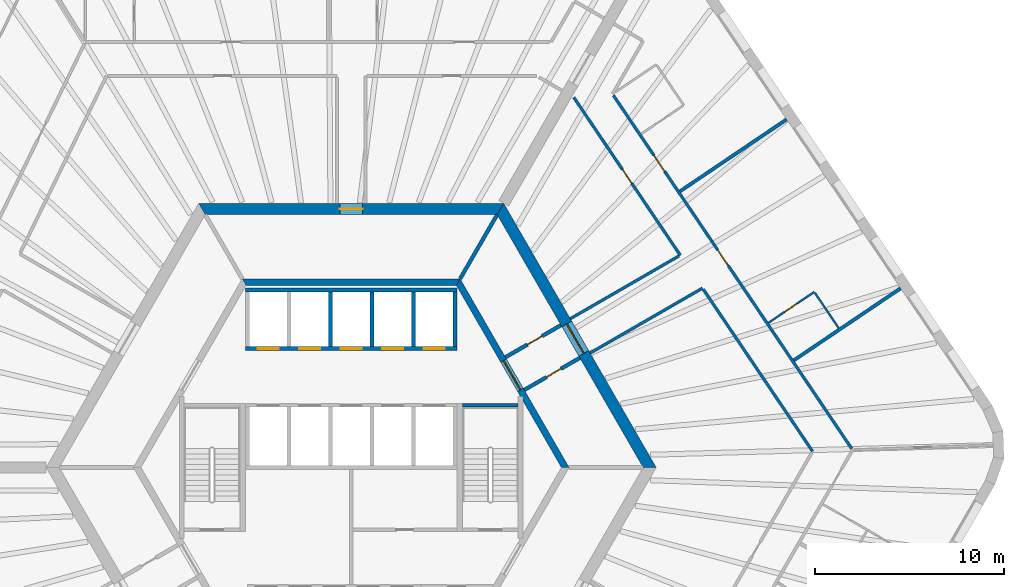
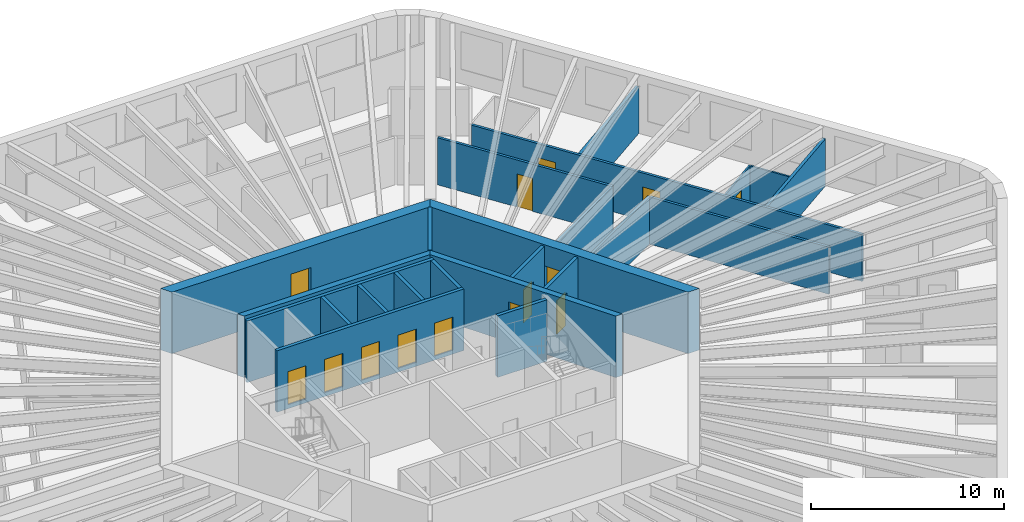
# One storey, part 9 of 12: 23 walls, 14 doors, 14 openings.
"""IFC4 building model written with IfcOpenShell, lengths in metres."""

from ifc_helpers import new_model, si_unit, direction, frame, frame_2d, origin, place, context, subcontext, project, spatial, polyline, rectangle, outline, extrude, material, layer, layer_set, type_object, element, fill, save


model = new_model("IFC4")

# Units and contexts
model_context = context("Model", 3, precision=1e-05, world=origin(), true_north=direction((0.0, 1.0)))
body_context = subcontext(model_context, "Body", "Model", "MODEL_VIEW")
ifc_project = project(units=[si_unit("LENGTHUNIT", "METRE"), si_unit("AREAUNIT", "SQUARE_METRE"), si_unit("VOLUMEUNIT", "CUBIC_METRE"), si_unit("PLANEANGLEUNIT", "RADIAN"), si_unit("MASSUNIT", "GRAM", prefix="KILO")], contexts=[model_context])

# Site, building, storey
site_placement = place(None, origin())
site = spatial("IfcSite", under=ifc_project, at=site_placement, CompositionType="ELEMENT")
building_placement = place(site_placement, origin())
building = spatial("IfcBuilding", under=site, at=building_placement, Name="Tarnside Tower", CompositionType="ELEMENT")
storey_placement = place(building_placement, frame((0.0, 0.0, 57.0)))
storey = spatial("IfcBuildingStorey", under=building, at=storey_placement, Name="L11", CompositionType="ELEMENT", Elevation=57.0)

# Wall, opening, door
ifc_material_1 = material(Name="Gypsum board partition on steel studs", Category="steel")
ifc_layer_1 = layer(ifc_material_1, 0.10009765625)
ifc_layer_set_1 = layer_set([ifc_layer_1], Name="Bathroom wall 100")
wall_type_1 = type_object("IfcWallType", Name="Bathroom wall 100", PredefinedType="PARTITIONING", material=ifc_layer_set_1)
wall_1_placement = place(storey_placement, frame((22.118408203125, 7.668212890625, 0.0), z_axis=(0.0, 0.0, 1.0), x_axis=(0.829007334469, 0.559237730663, 0.0)))
wall_1 = element("IfcWall", 1, at=wall_1_placement, inside=storey, type_object=wall_type_1, Name="Bathroom wall 02148", PredefinedType="PARTITIONING", context=body_context, shape_type="SweptSolid", body=[
    extrude(rectangle(XDim=2.925048828125, YDim=0.10009765625, at=frame_2d((1.46240234375, 0.0))), origin(), (0.0, 0.0, 1.0), 2.98779296875),
])
opening_1_placement = place(wall_1_placement, frame((1.02490234375, 0.0, 0.0)))
opening_1 = element("IfcOpeningElement", 2, at=opening_1_placement, cuts=wall_1, Name="Opening D-B1", PredefinedType="OPENING", context=body_context, shape_type="SweptSolid", body=[
    extrude(rectangle(XDim=0.800048828125, YDim=2.10009765625, at=frame_2d((0.39990234375, 1.050048828125))), frame((0.0, 0.06005859375, 0.0), z_axis=(0.0, -1.0, 0.0), x_axis=(1.0, 0.0, 0.0)), (0.0, 0.0, 1.0), 0.1201171875),
])
ifc_material_2 = material(Name="Timber door leaf", Category="wood")
door_type_1 = type_object("IfcDoorType", Name="Bathroom door 800", OperationType="NOTDEFINED", PredefinedType="DOOR", material=ifc_material_2)
door_1_placement = place(opening_1_placement, origin())
door_1 = element("IfcDoor", 3, at=door_1_placement, inside=storey, type_object=door_type_1, Name="Bathroom door 02038", OperationType="SINGLE_SWING_RIGHT", OverallHeight=2.10009765625, OverallWidth=0.800048828125, PredefinedType="DOOR", context=body_context, shape_type="SweptSolid", body=[
    extrude(rectangle(XDim=0.800048828125, YDim=2.10009765625, at=frame_2d((0.39990234375, 1.050048828125))), frame((0.0, 0.02490234375, 0.0), z_axis=(0.0, -1.0, 0.0), x_axis=(1.0, 0.0, 0.0)), (0.0, 0.0, 1.0), 0.050048828125),
])
fill(opening_1, door_1)

# Wall
wall_2_placement = place(storey_placement, frame((24.5712890625, 9.262451171875, 0.0), z_axis=(0.0, 0.0, 1.0), x_axis=(0.559179660023, -0.829046505219, 0.0)))
element("IfcWall", 4, at=wall_2_placement, inside=storey, type_object=wall_type_1, Name="Bathroom wall 02149", PredefinedType="PARTITIONING", context=body_context, shape_type="SweptSolid", body=[
    extrude(rectangle(XDim=2.259765625, YDim=0.10009765625, at=frame_2d((1.1298828125, 0.0))), origin(), (0.0, 0.0, 1.0), 2.98779296875),
])

# Wall, opening, door
ifc_material_3 = material(Name="Concrete C50/60", Category="concrete")
ifc_layer_2 = layer(ifc_material_3, 0.35009765625)
ifc_layer_set_2 = layer_set([ifc_layer_2], Name="Core block wall 350 C50/60")
wall_type_2 = type_object("IfcWallType", Name="Core block wall 350 C50/60", PredefinedType="SHEAR", material=ifc_layer_set_2)
wall_3_placement = place(storey_placement, frame((11.344970703125, 0.0, -0.14990234375), z_axis=(0.0, 0.0, 1.0), x_axis=(-0.499995046907, 0.866028263435, 0.0)))
wall_3 = element("IfcWall", 5, at=wall_3_placement, inside=storey, type_object=wall_type_2, Name="L11 core block wall face 6", PredefinedType="SHEAR", context=body_context, shape_type="SweptSolid", body=[
    extrude(outline(polyline([(-0.10107421875, -0.175048828125), (11.44580078125, -0.175048828125), (11.24365234375, 0.175048828125), (0.10107421875, 0.175048828125), (-0.10107421875, -0.175048828125)])), origin(), (0.0, 0.0, 1.0), 3.89990234375),
])
opening_2_placement = place(wall_3_placement, frame((4.74365234375, 0.0, 0.14990234375)))
opening_2 = element("IfcOpeningElement", 6, at=opening_2_placement, cuts=wall_3, Name="Opening CD-LOB", PredefinedType="OPENING", context=body_context, shape_type="SweptSolid", body=[
    extrude(rectangle(XDim=1.800048828125, YDim=2.39990234375, at=frame_2d((0.89990234375, 1.199951171875))), frame((0.0, 0.18505859375, 0.0), z_axis=(0.0, -1.0, 0.0), x_axis=(1.0, 0.0, 0.0)), (0.0, 0.0, 1.0), 0.3701171875),
])
ifc_material_4 = material(Name="Steel fire door", Category="steel")
door_type_2 = type_object("IfcDoorType", Name="Lobby double door FD30S 1800x2400", OperationType="NOTDEFINED", PredefinedType="DOOR", material=ifc_material_4)
door_2_placement = place(opening_2_placement, origin())
door_2 = element("IfcDoor", 7, at=door_2_placement, inside=storey, type_object=door_type_2, Name="L11 lobby block door P2", OperationType="DOUBLE_DOOR_SINGLE_SWING", OverallHeight=2.39990234375, OverallWidth=1.800048828125, PredefinedType="DOOR", context=body_context, shape_type="SweptSolid", body=[
    extrude(rectangle(XDim=1.800048828125, YDim=2.39990234375, at=frame_2d((0.89990234375, 1.199951171875))), frame((0.0, 0.02490234375, 0.0), z_axis=(0.0, -1.0, 0.0), x_axis=(1.0, 0.0, 0.0)), (0.0, 0.0, 1.0), 0.050048828125),
])
fill(opening_2, door_2)

# Wall
wall_4_placement = place(storey_placement, frame((5.672607421875, 9.824951171875, -0.14990234375), z_axis=(0.0, 0.0, 1.0), x_axis=(-1.0, 0.0, 0.0)))
element("IfcWall", 8, at=wall_4_placement, inside=storey, type_object=wall_type_2, Name="L11 core block wall face 1", PredefinedType="SHEAR", context=body_context, shape_type="SweptSolid", body=[
    extrude(outline(polyline([(-0.10107421875, -0.175048828125), (11.4462890625, -0.175048828125), (11.244140625, 0.175048828125), (0.10107421875, 0.175048828125), (-0.10107421875, -0.175048828125)])), origin(), (0.0, 0.0, 1.0), 3.89990234375),
])

# Wall, opening, door
ifc_material_5 = material(Name="Concrete C40/50", Category="concrete")
ifc_layer_3 = layer(ifc_material_5, 0.199951171875)
ifc_layer_set_3 = layer_set([ifc_layer_3], Name="Core room partition 200 C40/50")
wall_type_3 = type_object("IfcWallType", Name="Core room partition 200 C40/50", PredefinedType="PARTITIONING", material=ifc_layer_set_3)
wall_5_placement = place(storey_placement, frame((8.1748046875, 5.841064453125, 0.0), z_axis=(0.0, 0.0, 1.0), x_axis=(0.866020560687, 0.500008388397, 0.0)))
wall_5 = element("IfcWall", 9, at=wall_5_placement, inside=storey, type_object=wall_type_3, Name="L11 core partition AC5L", PredefinedType="PARTITIONING", context=body_context, shape_type="SweptSolid", body=[
    extrude(rectangle(XDim=3.39990234375, YDim=0.199951171875, at=frame_2d((1.699951171875, 0.0))), origin(), (0.0, 0.0, 1.0), 3.64990234375),
])
opening_3_placement = place(wall_5_placement, frame((1.349609375, 0.0, 0.0)))
opening_3 = element("IfcOpeningElement", 10, at=opening_3_placement, cuts=wall_5, Name="Opening CD-room", PredefinedType="OPENING", context=body_context, shape_type="SweptSolid", body=[
    extrude(rectangle(XDim=0.89990234375, YDim=2.10009765625, at=frame_2d((0.449951171875, 1.050048828125))), frame((0.0, 0.10986328125, 0.0), z_axis=(0.0, -1.0, 0.0), x_axis=(1.0, 0.0, 0.0)), (0.0, 0.0, 1.0), 0.219970703125),
])
door_type_3 = type_object("IfcDoorType", Name="Room door FD60 900x2100", OperationType="NOTDEFINED", PredefinedType="DOOR", material=ifc_material_4)
door_3_placement = place(opening_3_placement, origin())
door_3 = element("IfcDoor", 11, at=door_3_placement, inside=storey, type_object=door_type_3, Name="L11 core room door AX5L", OperationType="SINGLE_SWING_LEFT", OverallHeight=2.10009765625, OverallWidth=0.89990234375, PredefinedType="DOOR", context=body_context, shape_type="SweptSolid", body=[
    extrude(rectangle(XDim=0.89990234375, YDim=2.10009765625, at=frame_2d((0.449951171875, 1.050048828125))), frame((0.0, 0.02490234375, 0.0), z_axis=(0.0, -1.0, 0.0), x_axis=(1.0, 0.0, 0.0)), (0.0, 0.0, 1.0), 0.050048828125),
])
fill(opening_3, door_3)

wall_6_placement = place(storey_placement, frame((9.1748046875, 4.10888671875, 0.0), z_axis=(0.0, 0.0, 1.0), x_axis=(0.865989465428, 0.500062241894, 0.0)))
wall_6 = element("IfcWall", 12, at=wall_6_placement, inside=storey, type_object=wall_type_3, Name="L11 core partition AC5R", PredefinedType="PARTITIONING", context=body_context, shape_type="SweptSolid", body=[
    extrude(rectangle(XDim=3.39990234375, YDim=0.199951171875, at=frame_2d((1.699951171875, 0.0))), origin(), (0.0, 0.0, 1.0), 3.64990234375),
])
opening_4_placement = place(wall_6_placement, frame((1.3505859375, 0.0, 0.0)))
opening_4 = element("IfcOpeningElement", 13, at=opening_4_placement, cuts=wall_6, Name="Opening CD-room", PredefinedType="OPENING", context=body_context, shape_type="SweptSolid", body=[
    extrude(rectangle(XDim=0.89990234375, YDim=2.10009765625, at=frame_2d((0.449951171875, 1.050048828125))), frame((0.0, 0.10986328125, 0.0), z_axis=(0.0, -1.0, 0.0), x_axis=(1.0, 0.0, 0.0)), (0.0, 0.0, 1.0), 0.219970703125),
])
door_4_placement = place(opening_4_placement, origin())
door_4 = element("IfcDoor", 14, at=door_4_placement, inside=storey, type_object=door_type_3, Name="L11 core room door AX5R", OperationType="SINGLE_SWING_LEFT", OverallHeight=2.10009765625, OverallWidth=0.89990234375, PredefinedType="DOOR", context=body_context, shape_type="SweptSolid", body=[
    extrude(rectangle(XDim=0.89990234375, YDim=2.10009765625, at=frame_2d((0.449951171875, 1.050048828125))), frame((0.0, 0.02490234375, 0.0), z_axis=(0.0, -1.0, 0.0), x_axis=(1.0, 0.0, 0.0)), (0.0, 0.0, 1.0), 0.050048828125),
])
fill(opening_4, door_4)

ifc_material_6 = material(Name="Concrete C80/95", Category="concrete")
ifc_layer_4 = layer(ifc_material_6, 0.60009765625)
ifc_layer_set_4 = layer_set([ifc_layer_4], Name="Core wall Z1 600 C80/95")
wall_type_4 = type_object("IfcWallType", Name="Core wall Z1 600 C80/95", PredefinedType="SHEAR", material=ifc_layer_set_4)
wall_7_placement = place(storey_placement, frame((15.8193359375, 0.0, -0.14990234375), z_axis=(0.0, 0.0, 1.0), x_axis=(-0.499999880136, 0.866025472988, 0.0)))
wall_7 = element("IfcWall", 15, at=wall_7_placement, inside=storey, type_object=wall_type_4, Name="L11 core wall face 6", PredefinedType="SHEAR", context=body_context, shape_type="SweptSolid", body=[
    extrude(outline(polyline([(-0.17333984375, -0.300048828125), (15.99267578125, -0.300048828125), (15.64599609375, 0.300048828125), (0.17333984375, 0.300048828125), (-0.17333984375, -0.300048828125)])), origin(), (0.0, 0.0, 1.0), 3.89990234375),
])
opening_5_placement = place(wall_7_placement, frame((6.980712890625, 0.0, 0.14990234375)))
opening_5 = element("IfcOpeningElement", 16, at=opening_5_placement, cuts=wall_7, Name="Opening CD-LOB", PredefinedType="OPENING", context=body_context, shape_type="SweptSolid", body=[
    extrude(rectangle(XDim=1.800048828125, YDim=2.39990234375, at=frame_2d((0.89990234375, 1.199951171875))), frame((0.0, 0.31005859375, 0.0), z_axis=(0.0, -1.0, 0.0), x_axis=(1.0, 0.0, 0.0)), (0.0, 0.0, 1.0), 0.6201171875),
])
door_5_placement = place(opening_5_placement, origin())
door_5 = element("IfcDoor", 17, at=door_5_placement, inside=storey, type_object=door_type_2, Name="L11 core door P2", OperationType="DOUBLE_DOOR_SINGLE_SWING", OverallHeight=2.39990234375, OverallWidth=1.800048828125, PredefinedType="DOOR", context=body_context, shape_type="SweptSolid", body=[
    extrude(rectangle(XDim=1.800048828125, YDim=2.39990234375, at=frame_2d((0.89990234375, 1.199951171875))), frame((0.0, 0.02490234375, 0.0), z_axis=(0.0, -1.0, 0.0), x_axis=(1.0, 0.0, 0.0)), (0.0, 0.0, 1.0), 0.050048828125),
])
fill(opening_5, door_5)

wall_8_placement = place(storey_placement, frame((7.90966796875, 13.699951171875, -0.14990234375), z_axis=(0.0, 0.0, 1.0), x_axis=(-1.0, 0.0, 0.0)))
wall_8 = element("IfcWall", 18, at=wall_8_placement, inside=storey, type_object=wall_type_4, Name="L11 core wall face 1", PredefinedType="SHEAR", context=body_context, shape_type="SweptSolid", body=[
    extrude(outline(polyline([(-0.17333984375, -0.300048828125), (15.99267578125, -0.300048828125), (15.64599609375, 0.300048828125), (0.17333984375, 0.300048828125), (-0.17333984375, -0.300048828125)])), origin(), (0.0, 0.0, 1.0), 3.89990234375),
])
opening_6_placement = place(wall_8_placement, frame((7.309814453125, 0.0, 0.14990234375)))
opening_6 = element("IfcOpeningElement", 19, at=opening_6_placement, cuts=wall_8, Name="Opening CD-RSR", PredefinedType="OPENING", context=body_context, shape_type="SweptSolid", body=[
    extrude(rectangle(XDim=1.199951171875, YDim=2.39990234375, at=frame_2d((0.60009765625, 1.199951171875))), frame((0.0, 0.31005859375, 0.0), z_axis=(0.0, -1.0, 0.0), x_axis=(1.0, 0.0, 0.0)), (0.0, 0.0, 1.0), 0.6201171875),
])
door_type_4 = type_object("IfcDoorType", Name="Riser door FD60 1200x2400", OperationType="NOTDEFINED", PredefinedType="DOOR", material=ifc_material_4)
door_6_placement = place(opening_6_placement, origin())
door_6 = element("IfcDoor", 20, at=door_6_placement, inside=storey, type_object=door_type_4, Name="L11 core door S5", OperationType="SINGLE_SWING_LEFT", OverallHeight=2.39990234375, OverallWidth=1.199951171875, PredefinedType="DOOR", context=body_context, shape_type="SweptSolid", body=[
    extrude(rectangle(XDim=1.199951171875, YDim=2.39990234375, at=frame_2d((0.60009765625, 1.199951171875))), frame((0.0, 0.02490234375, 0.0), z_axis=(0.0, -1.0, 0.0), x_axis=(1.0, 0.0, 0.0)), (0.0, 0.0, 1.0), 0.050048828125),
])
fill(opening_6, door_6)

# Wall, openings, doors
ifc_layer_5 = layer(ifc_material_1, 0.14990234375)
ifc_layer_set_5 = layer_set([ifc_layer_5], Name="Corridor wall 150 EI 60")
wall_type_5 = type_object("IfcWallType", Name="Corridor wall 150 EI 60", PredefinedType="PARTITIONING", material=ifc_layer_set_5)
wall_9_placement = place(storey_placement, frame((26.527587890625, 0.9970703125, 0.0), z_axis=(0.0, 0.0, 1.0), x_axis=(-0.559192121846, 0.829038099767, 0.0)))
wall_9 = element("IfcWall", 21, at=wall_9_placement, inside=storey, type_object=wall_type_5, Name="Corridor wall 02056", PredefinedType="PARTITIONING", context=body_context, shape_type="SweptSolid", body=[
    extrude(rectangle(XDim=22.5859375, YDim=0.14990234375, at=frame_2d((11.29296875, 0.0))), origin(), (0.0, 0.0, 1.0), 2.98779296875),
])
opening_7_placement = place(wall_9_placement, frame((11.6962890625, 0.0, 0.0)))
opening_7 = element("IfcOpeningElement", 22, at=opening_7_placement, cuts=wall_9, Name="Opening D-E1", PredefinedType="OPENING", context=body_context, shape_type="SweptSolid", body=[
    extrude(rectangle(XDim=1.0, YDim=2.10009765625, at=frame_2d((0.5, 1.050048828125))), frame((0.0, 0.0849609375, 0.0), z_axis=(0.0, -1.0, 0.0), x_axis=(1.0, 0.0, 0.0)), (0.0, 0.0, 1.0), 0.169921875),
])
opening_8_placement = place(wall_9_placement, frame((17.732666015625, 0.0, 0.0)))
opening_8 = element("IfcOpeningElement", 23, at=opening_8_placement, cuts=wall_9, Name="Opening D-E1", PredefinedType="OPENING", context=body_context, shape_type="SweptSolid", body=[
    extrude(rectangle(XDim=1.0, YDim=2.10009765625, at=frame_2d((0.5, 1.050048828125))), frame((0.0, 0.0849609375, 0.0), z_axis=(0.0, -1.0, 0.0), x_axis=(1.0, 0.0, 0.0)), (0.0, 0.0, 1.0), 0.169921875),
])
door_type_5 = type_object("IfcDoorType", Name="Unit entrance door 1000 FD30S", OperationType="NOTDEFINED", PredefinedType="DOOR", material=ifc_material_2)
door_7_placement = place(opening_7_placement, origin())
door_7 = element("IfcDoor", 24, at=door_7_placement, inside=storey, type_object=door_type_5, Name="Unit door 02037", OperationType="SINGLE_SWING_RIGHT", OverallHeight=2.10009765625, OverallWidth=1.0, PredefinedType="DOOR", context=body_context, shape_type="SweptSolid", body=[
    extrude(rectangle(XDim=1.0, YDim=2.10009765625, at=frame_2d((0.5, 1.050048828125))), frame((0.0, 0.02490234375, 0.0), z_axis=(0.0, -1.0, 0.0), x_axis=(1.0, 0.0, 0.0)), (0.0, 0.0, 1.0), 0.050048828125),
])
fill(opening_7, door_7)
door_8_placement = place(opening_8_placement, origin())
door_8 = element("IfcDoor", 25, at=door_8_placement, inside=storey, type_object=door_type_5, Name="Unit door 02039", OperationType="SINGLE_SWING_LEFT", OverallHeight=2.10009765625, OverallWidth=1.0, PredefinedType="DOOR", context=body_context, shape_type="SweptSolid", body=[
    extrude(rectangle(XDim=1.0, YDim=2.10009765625, at=frame_2d((0.5, 1.050048828125))), frame((0.0, 0.02490234375, 0.0), z_axis=(0.0, -1.0, 0.0), x_axis=(1.0, 0.0, 0.0)), (0.0, 0.0, 1.0), 0.050048828125),
])
fill(opening_8, door_8)

# Walls
wall_10_placement = place(storey_placement, frame((12.663818359375, 6.065673828125, 0.0), z_axis=(0.0, 0.0, 1.0), x_axis=(0.866027716353, 0.499995994493, 0.0)))
element("IfcWall", 26, at=wall_10_placement, inside=storey, type_object=wall_type_5, Name="Corridor wall 02063", PredefinedType="PARTITIONING", context=body_context, shape_type="SweptSolid", body=[
    extrude(rectangle(XDim=6.8759765625, YDim=0.14990234375, at=frame_2d((3.43798828125, 0.0))), origin(), (0.0, 0.0, 1.0), 2.98779296875),
])
wall_11_placement = place(storey_placement, frame((18.66064453125, 9.44140625, 0.0), z_axis=(0.0, 0.0, 1.0), x_axis=(0.559206469148, -0.829028422229, 0.0)))
element("IfcWall", 27, at=wall_11_placement, inside=storey, type_object=wall_type_5, Name="Corridor wall 02064", PredefinedType="PARTITIONING", context=body_context, shape_type="SweptSolid", body=[
    extrude(rectangle(XDim=10.3583984375, YDim=0.14990234375, at=frame_2d((5.17919921875, 0.0))), origin(), (0.0, 0.0, 1.0), 2.98779296875),
])

# Wall, opening, door
wall_12_placement = place(storey_placement, frame((11.79833984375, 19.615234375, 0.0), z_axis=(0.0, 0.0, 1.0), x_axis=(0.559191941468, -0.829038221434, 0.0)))
wall_12 = element("IfcWall", 28, at=wall_12_placement, inside=storey, type_object=wall_type_5, Name="Corridor wall 02070", PredefinedType="PARTITIONING", context=body_context, shape_type="SweptSolid", body=[
    extrude(rectangle(XDim=10.091552734375, YDim=0.14990234375, at=frame_2d((5.0458984375, 0.0))), origin(), (0.0, 0.0, 1.0), 2.98779296875),
])
opening_9_placement = place(wall_12_placement, frame((4.595703125, 0.0, 0.0)))
opening_9 = element("IfcOpeningElement", 29, at=opening_9_placement, cuts=wall_12, Name="Opening D-S1", PredefinedType="OPENING", context=body_context, shape_type="SweptSolid", body=[
    extrude(rectangle(XDim=0.89990234375, YDim=2.10009765625, at=frame_2d((0.449951171875, 1.050048828125))), frame((0.0, 0.0849609375, 0.0), z_axis=(0.0, -1.0, 0.0), x_axis=(1.0, 0.0, 0.0)), (0.0, 0.0, 1.0), 0.169921875),
])
door_type_6 = type_object("IfcDoorType", Name="Service room door 900 FD30S", OperationType="NOTDEFINED", PredefinedType="DOOR", material=ifc_material_2)
door_9_placement = place(opening_9_placement, origin())
door_9 = element("IfcDoor", 30, at=door_9_placement, inside=storey, type_object=door_type_6, Name="Service door 02049", OperationType="SINGLE_SWING_LEFT", OverallHeight=2.10009765625, OverallWidth=0.89990234375, PredefinedType="DOOR", context=body_context, shape_type="SweptSolid", body=[
    extrude(rectangle(XDim=0.89990234375, YDim=2.10009765625, at=frame_2d((0.449951171875, 1.050048828125))), frame((0.0, 0.02490234375, 0.0), z_axis=(0.0, -1.0, 0.0), x_axis=(1.0, 0.0, 0.0)), (0.0, 0.0, 1.0), 0.050048828125),
])
fill(opening_9, door_9)

# Walls
wall_13_placement = place(storey_placement, frame((17.37646484375, 11.21142578125, 0.0), z_axis=(0.0, 0.0, 1.0), x_axis=(-0.866021841149, -0.500006170614, 0.0)))
element("IfcWall", 31, at=wall_13_placement, inside=storey, type_object=wall_type_5, Name="Corridor wall 02071", PredefinedType="PARTITIONING", context=body_context, shape_type="SweptSolid", body=[
    extrude(rectangle(XDim=6.654296875, YDim=0.14990234375, at=frame_2d((3.3271484375, 0.0))), origin(), (0.0, 0.0, 1.0), 2.98779296875),
])
ifc_layer_6 = layer(ifc_material_1, 0.179931640625)
ifc_layer_set_6 = layer_set([ifc_layer_6], Name="Demising wall 180 EI 60")
wall_type_6 = type_object("IfcWallType", Name="Demising wall 180 EI 60", PredefinedType="PARTITIONING", material=ifc_layer_set_6)
for number, where, z_axis, x_axis, name in (
    (32, (29.11865234375, 9.4951171875, 0.0), (0.0, 0.0, 1.0), (-0.829044361536, -0.559182838261, 0.0), "Demising wall 02146"),
    (33, (23.079345703125, 18.44873046875, 0.0), (0.0, 0.0, 1.0), (-0.829044361536, -0.559182838261, 0.0), "Demising wall 02150"),
):
    element("IfcWall", number, at=place(storey_placement, frame(where, z_axis=z_axis, x_axis=x_axis)), inside=storey, type_object=wall_type_6, Name=name, PredefinedType="PARTITIONING", context=body_context, shape_type="SweptSolid", body=[
        extrude(rectangle(XDim=6.824951171875, YDim=0.179931640625, at=frame_2d((3.41259765625, 0.0))), origin(), (0.0, 0.0, 1.0), 2.98779296875),
    ])

# Wall, openings, doors
ifc_layer_7 = layer(ifc_material_5, 0.199951171875)
ifc_layer_set_7 = layer_set([ifc_layer_7], Name="Lift shaft wall 200 C40/50")
wall_type_7 = type_object("IfcWallType", Name="Lift shaft wall 200 C40/50", PredefinedType="SHEAR", material=ifc_layer_set_7)
wall_14_placement = place(storey_placement, frame((-5.60009765625, 6.300048828125, -0.25), z_axis=(0.0, 0.0, 1.0), x_axis=(1.0, 0.0, 0.0)))
wall_14 = element("IfcWall", 34, at=wall_14_placement, inside=storey, type_object=wall_type_7, Name="L11 lift shaft front wall R1", PredefinedType="SHEAR", context=body_context, shape_type="SweptSolid", body=[
    extrude(rectangle(XDim=11.2001953125, YDim=0.199951171875, at=frame_2d((5.60009765625, 0.0))), origin(), (0.0, 0.0, 1.0), 3.89990234375),
])
opening_10_placement = place(wall_14_placement, frame((0.64990234375, 0.0, 0.25)))
opening_10 = element("IfcOpeningElement", 35, at=opening_10_placement, cuts=wall_14, Name="Opening LD", PredefinedType="OPENING", context=body_context, shape_type="SweptSolid", body=[
    extrude(rectangle(XDim=1.10009765625, YDim=2.10009765625, at=frame_2d((0.550048828125, 1.050048828125))), frame((0.0, 0.10986328125, 0.0), z_axis=(0.0, -1.0, 0.0), x_axis=(1.0, 0.0, 0.0)), (0.0, 0.0, 1.0), 0.219970703125),
])
opening_11_placement = place(wall_14_placement, frame((2.85009765625, 0.0, 0.25)))
opening_11 = element("IfcOpeningElement", 36, at=opening_11_placement, cuts=wall_14, Name="Opening LD", PredefinedType="OPENING", context=body_context, shape_type="SweptSolid", body=[
    extrude(rectangle(XDim=1.10009765625, YDim=2.10009765625, at=frame_2d((0.550048828125, 1.050048828125))), frame((0.0, 0.10986328125, 0.0), z_axis=(0.0, -1.0, 0.0), x_axis=(1.0, 0.0, 0.0)), (0.0, 0.0, 1.0), 0.219970703125),
])
opening_12_placement = place(wall_14_placement, frame((5.050048828125, 0.0, 0.25)))
opening_12 = element("IfcOpeningElement", 37, at=opening_12_placement, cuts=wall_14, Name="Opening LD", PredefinedType="OPENING", context=body_context, shape_type="SweptSolid", body=[
    extrude(rectangle(XDim=1.10009765625, YDim=2.10009765625, at=frame_2d((0.550048828125, 1.050048828125))), frame((0.0, 0.10986328125, 0.0), z_axis=(0.0, -1.0, 0.0), x_axis=(1.0, 0.0, 0.0)), (0.0, 0.0, 1.0), 0.219970703125),
])
opening_13_placement = place(wall_14_placement, frame((7.25, 0.0, 0.25)))
opening_13 = element("IfcOpeningElement", 38, at=opening_13_placement, cuts=wall_14, Name="Opening LD", PredefinedType="OPENING", context=body_context, shape_type="SweptSolid", body=[
    extrude(rectangle(XDim=1.10009765625, YDim=2.10009765625, at=frame_2d((0.550048828125, 1.050048828125))), frame((0.0, 0.10986328125, 0.0), z_axis=(0.0, -1.0, 0.0), x_axis=(1.0, 0.0, 0.0)), (0.0, 0.0, 1.0), 0.219970703125),
])
opening_14_placement = place(wall_14_placement, frame((9.449951171875, 0.0, 0.25)))
opening_14 = element("IfcOpeningElement", 39, at=opening_14_placement, cuts=wall_14, Name="Opening LD", PredefinedType="OPENING", context=body_context, shape_type="SweptSolid", body=[
    extrude(rectangle(XDim=1.10009765625, YDim=2.10009765625, at=frame_2d((0.550048828125, 1.050048828125))), frame((0.0, 0.10986328125, 0.0), z_axis=(0.0, -1.0, 0.0), x_axis=(1.0, 0.0, 0.0)), (0.0, 0.0, 1.0), 0.219970703125),
])
ifc_material_7 = material(Name="Stainless steel", Category="steel")
door_type_7 = type_object("IfcDoorType", Name="Lift landing door 1100x2100", OperationType="NOTDEFINED", PredefinedType="DOOR", material=ifc_material_7)
door_10_placement = place(opening_10_placement, origin())
door_10 = element("IfcDoor", 40, at=door_10_placement, inside=storey, type_object=door_type_7, Name="Low-rise lift 1 landing door L11", OperationType="SLIDING_TO_LEFT", OverallHeight=2.10009765625, OverallWidth=1.10009765625, PredefinedType="DOOR", context=body_context, shape_type="SweptSolid", body=[
    extrude(rectangle(XDim=1.10009765625, YDim=2.10009765625, at=frame_2d((0.550048828125, 1.050048828125))), frame((0.0, 0.02490234375, 0.0), z_axis=(0.0, -1.0, 0.0), x_axis=(1.0, 0.0, 0.0)), (0.0, 0.0, 1.0), 0.050048828125),
])
fill(opening_10, door_10)
door_11_placement = place(opening_11_placement, origin())
door_11 = element("IfcDoor", 41, at=door_11_placement, inside=storey, type_object=door_type_7, Name="Low-rise lift 2 landing door L11", OperationType="SLIDING_TO_LEFT", OverallHeight=2.10009765625, OverallWidth=1.10009765625, PredefinedType="DOOR", context=body_context, shape_type="SweptSolid", body=[
    extrude(rectangle(XDim=1.10009765625, YDim=2.10009765625, at=frame_2d((0.550048828125, 1.050048828125))), frame((0.0, 0.02490234375, 0.0), z_axis=(0.0, -1.0, 0.0), x_axis=(1.0, 0.0, 0.0)), (0.0, 0.0, 1.0), 0.050048828125),
])
fill(opening_11, door_11)
door_12_placement = place(opening_12_placement, origin())
door_12 = element("IfcDoor", 42, at=door_12_placement, inside=storey, type_object=door_type_7, Name="Low-rise lift 3 landing door L11", OperationType="SLIDING_TO_LEFT", OverallHeight=2.10009765625, OverallWidth=1.10009765625, PredefinedType="DOOR", context=body_context, shape_type="SweptSolid", body=[
    extrude(rectangle(XDim=1.10009765625, YDim=2.10009765625, at=frame_2d((0.550048828125, 1.050048828125))), frame((0.0, 0.02490234375, 0.0), z_axis=(0.0, -1.0, 0.0), x_axis=(1.0, 0.0, 0.0)), (0.0, 0.0, 1.0), 0.050048828125),
])
fill(opening_12, door_12)
door_13_placement = place(opening_13_placement, origin())
door_13 = element("IfcDoor", 43, at=door_13_placement, inside=storey, type_object=door_type_7, Name="Low sky-lobby shuttle 1 landing door L11", OperationType="SLIDING_TO_LEFT", OverallHeight=2.10009765625, OverallWidth=1.10009765625, PredefinedType="DOOR", context=body_context, shape_type="SweptSolid", body=[
    extrude(rectangle(XDim=1.10009765625, YDim=2.10009765625, at=frame_2d((0.550048828125, 1.050048828125))), frame((0.0, 0.02490234375, 0.0), z_axis=(0.0, -1.0, 0.0), x_axis=(1.0, 0.0, 0.0)), (0.0, 0.0, 1.0), 0.050048828125),
])
fill(opening_13, door_13)
door_14_placement = place(opening_14_placement, origin())
door_14 = element("IfcDoor", 44, at=door_14_placement, inside=storey, type_object=door_type_7, Name="Low sky-lobby shuttle 2 landing door L11", OperationType="SLIDING_TO_LEFT", OverallHeight=2.10009765625, OverallWidth=1.10009765625, PredefinedType="DOOR", context=body_context, shape_type="SweptSolid", body=[
    extrude(rectangle(XDim=1.10009765625, YDim=2.10009765625, at=frame_2d((0.550048828125, 1.050048828125))), frame((0.0, 0.02490234375, 0.0), z_axis=(0.0, -1.0, 0.0), x_axis=(1.0, 0.0, 0.0)), (0.0, 0.0, 1.0), 0.050048828125),
])
fill(opening_14, door_14)

# Walls
wall_15_placement = place(storey_placement, frame((-5.60009765625, 9.39990234375, -0.25), z_axis=(0.0, 0.0, 1.0), x_axis=(1.0, 0.0, 0.0)))
element("IfcWall", 45, at=wall_15_placement, inside=storey, type_object=wall_type_7, Name="L11 lift shaft back wall R1", PredefinedType="SHEAR", context=body_context, shape_type="SweptSolid", body=[
    extrude(rectangle(XDim=11.2001953125, YDim=0.199951171875, at=frame_2d((5.60009765625, 0.0))), origin(), (0.0, 0.0, 1.0), 3.89990234375),
])
for number, where, z_axis, x_axis, name in (
    (46, (-1.10009765625, 6.39990234375, -0.25), (0.0, 0.0, 1.0), (0.0, 1.0, 0.0), "L11 lift shaft partition R13"),
    (47, (1.10009765625, 6.39990234375, -0.25), (0.0, 0.0, 1.0), (0.0, 1.0, 0.0), "L11 lift shaft partition R14"),
    (48, (3.300048828125, 6.39990234375, -0.25), (0.0, 0.0, 1.0), (0.0, 1.0, 0.0), "L11 lift shaft partition R15"),
    (49, (5.5, 6.39990234375, -0.25), (0.0, 0.0, 1.0), (0.0, 1.0, 0.0), "L11 lift shaft partition R16"),
):
    element("IfcWall", number, at=place(storey_placement, frame(where, z_axis=z_axis, x_axis=x_axis)), inside=storey, type_object=wall_type_7, Name=name, PredefinedType="SHEAR", context=body_context, shape_type="SweptSolid", body=[
        extrude(rectangle(XDim=2.900146484375, YDim=0.199951171875, at=frame_2d((1.4501953125, 0.0))), origin(), (0.0, 0.0, 1.0), 3.89990234375),
    ])
wall_16_placement = place(storey_placement, frame((5.7734375, 10.0, -0.14990234375), z_axis=(0.0, 0.0, 1.0), x_axis=(0.500038251005, 0.86600331843, 0.0)))
element("IfcWall", 50, at=wall_16_placement, inside=storey, type_object=wall_type_7, Name="L11 core partition AR60", PredefinedType="SHEAR", context=body_context, shape_type="SweptSolid", body=[
    extrude(rectangle(XDim=3.926025390625, YDim=0.199951171875, at=frame_2d((1.962890625, 0.0))), origin(), (0.0, 0.0, 1.0), 3.89990234375),
])
wall_17_placement = place(storey_placement, frame((5.89990234375, 3.300048828125, -0.25), z_axis=(0.0, 0.0, 1.0), x_axis=(1.0, 0.0, 0.0)))
element("IfcWall", 51, at=wall_17_placement, inside=storey, type_object=wall_type_7, Name="L11 stair 1 enclosure cap wall n", PredefinedType="SHEAR", context=body_context, shape_type="SweptSolid", body=[
    extrude(rectangle(XDim=2.9501953125, YDim=0.199951171875, at=frame_2d((1.47509765625, 0.0))), origin(), (0.0, 0.0, 1.0), 3.89990234375),
])

save(model, "model.ifc")
